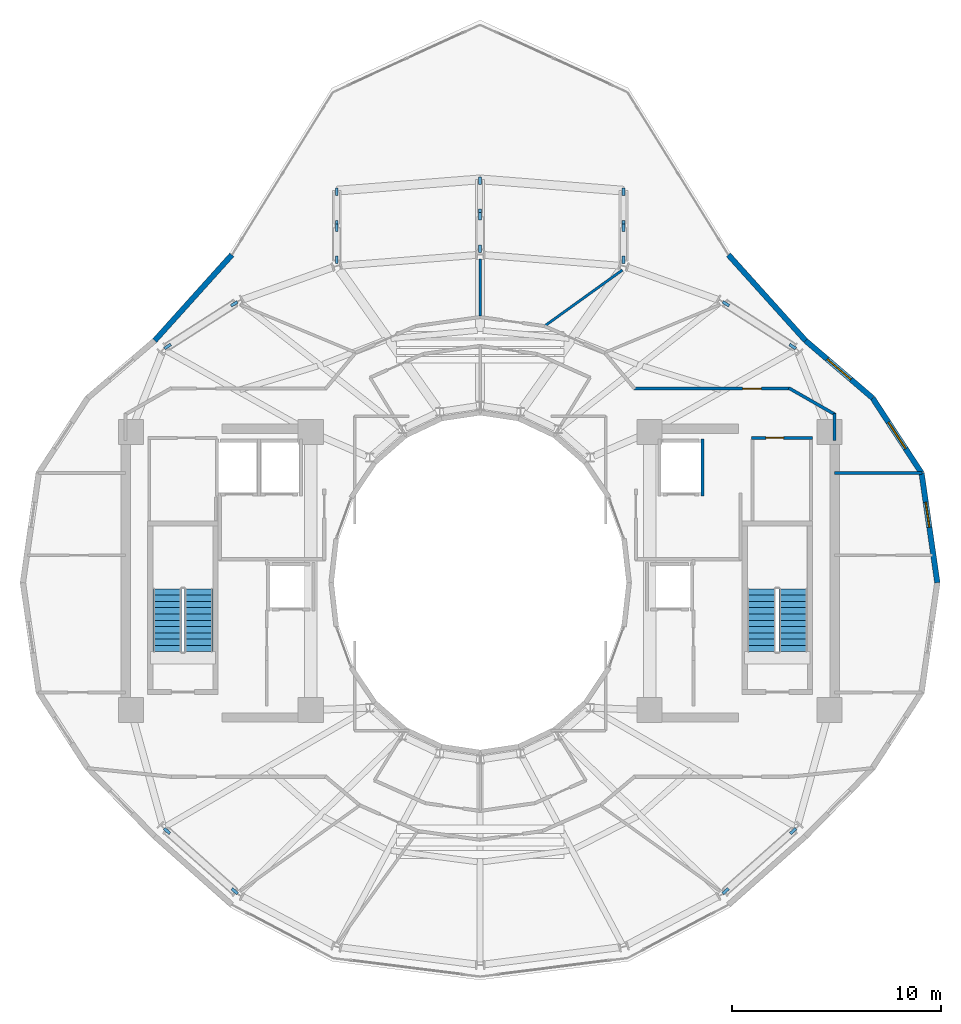
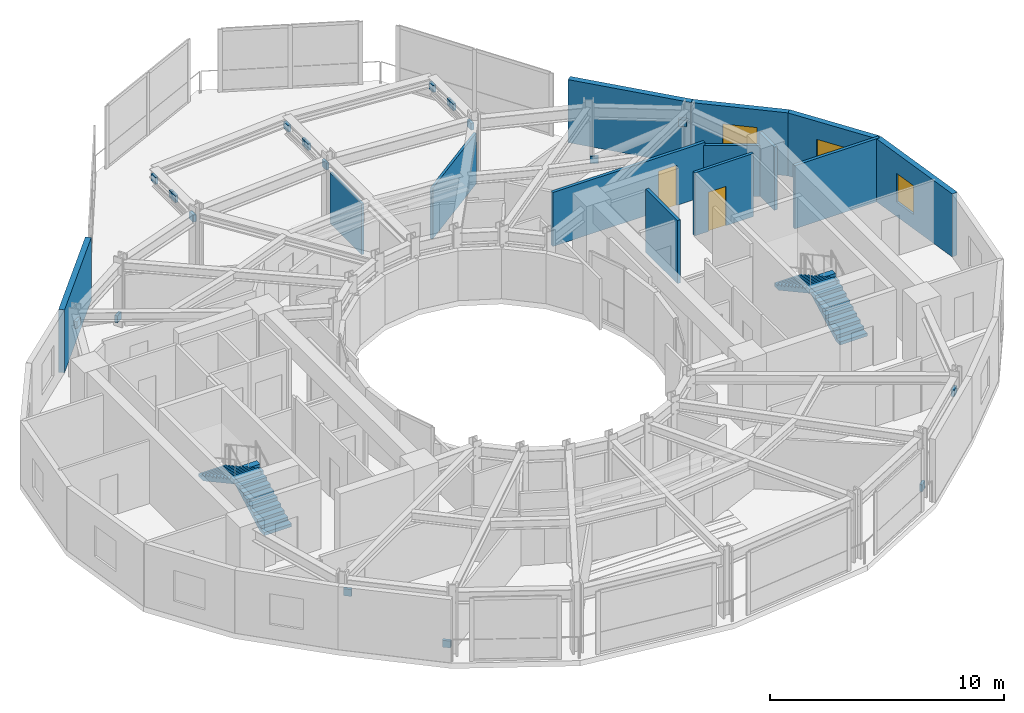
# One storey, part 21 of 24: 20 discrete accessories, 13 walls, 4 stair flights, 3 windows, 2 doors, 5 openings, 2 elements without a shape of their own.
"""IFC4 building model written with IfcOpenShell, lengths in metres."""

from ifc_helpers import new_model, si_unit, direction, frame, frame_2d, origin, origin_2d, place, context, subcontext, project, spatial, polyline, rectangle, outline, extrude, material, layer, layer_set, type_object, element, fill, aggregate, save


model = new_model("IFC4")

# Units and contexts
model_context = context("Model", 3, precision=1e-05, world=origin(), true_north=direction((0.0, 1.0)))
body_context = subcontext(model_context, "Body", "Model", "MODEL_VIEW")
ifc_project = project(units=[si_unit("LENGTHUNIT", "METRE"), si_unit("AREAUNIT", "SQUARE_METRE"), si_unit("VOLUMEUNIT", "CUBIC_METRE"), si_unit("PLANEANGLEUNIT", "RADIAN"), si_unit("MASSUNIT", "GRAM", prefix="KILO")], contexts=[model_context])

# Site, building, storey
site_placement = place(None, origin())
site = spatial("IfcSite", under=ifc_project, at=site_placement, CompositionType="ELEMENT")
building_placement = place(site_placement, origin())
building = spatial("IfcBuilding", under=site, at=building_placement, Name="Solvane Sanctuary Tower", CompositionType="ELEMENT")
storey_placement = place(building_placement, frame((0.0, 0.0, 253.199951171875)))
storey = spatial("IfcBuildingStorey", under=building, at=storey_placement, Name="L77", CompositionType="ELEMENT", Elevation=253.199951171875)

# Walls
ifc_material_1 = material(Name="Acoustic Gypsum Partition Board")
ifc_layer_1 = layer(ifc_material_1, 0.14990234375, Name="Acoustic Gypsum Partition Board")
ifc_layer_set_1 = layer_set([ifc_layer_1], Name="Acoustic Gypsum Partition Board")
wall_type_1 = type_object("IfcWallType", Name="Wall W-CORR-150", PredefinedType="PARTITIONING", material=ifc_layer_set_1)
wall_1_placement = place(storey_placement, frame((48.949951171875, 28.245361328125, 0.0), z_axis=(0.0, 0.0, 1.0), x_axis=(1.0, 0.0, 0.0)))
element("IfcWall", 1, at=wall_1_placement, inside=storey, type_object=wall_type_1, Name="L77 East Shoulder North Wall", PredefinedType="PARTITIONING", context=body_context, shape_type="SweptSolid", body=[
    extrude(rectangle(XDim=4.174560546875, YDim=0.14990234375, at=frame_2d((2.08740234375, 0.0))), origin(), (0.0, 0.0, 1.0), 3.295166015625),
])
wall_2_placement = place(storey_placement, frame((48.949951171875, 29.800048828125, 0.0), z_axis=(0.0, 0.0, 1.0), x_axis=(0.0, 1.0, 0.0)))
element("IfcWall", 2, at=wall_2_placement, inside=storey, type_object=wall_type_1, Name="L77 NE Corner Closer 1", PredefinedType="PARTITIONING", context=body_context, shape_type="SweptSolid", body=[
    extrude(rectangle(XDim=1.2900390625, YDim=0.14990234375, at=frame_2d((0.64501953125, 0.0))), origin(), (0.0, 0.0, 1.0), 3.295166015625),
])

# Wall, opening, door
wall_3_placement = place(storey_placement, frame((39.330078125, 32.280029296875, 0.0), z_axis=(0.0, 0.0, 1.0), x_axis=(1.0, 0.0, 0.0)))
wall_3 = element("IfcWall", 3, at=wall_3_placement, inside=storey, type_object=wall_type_1, Name="L77 NE Corner Corridor Wall", PredefinedType="PARTITIONING", context=body_context, shape_type="SweptSolid", body=[
    extrude(rectangle(XDim=7.52001953125, YDim=0.14990234375, at=frame_2d((3.760009765625, 0.0))), origin(), (0.0, 0.0, 1.0), 2.816162109375),
])
opening_1_placement = place(wall_3_placement, frame((5.219970703125, 0.0, 0.0)))
opening_1 = element("IfcOpeningElement", 4, at=opening_1_placement, cuts=wall_3, Name="Opening D-L77-17", PredefinedType="OPENING", context=body_context, shape_type="SweptSolid", body=[
    extrude(rectangle(XDim=0.89990234375, YDim=2.10009765625, at=frame_2d((0.449951171875, 1.050048828125))), frame((0.0, 0.0849609375, 0.0), z_axis=(0.0, -1.0, 0.0), x_axis=(1.0, 0.0, 0.0)), (0.0, 0.0, 1.0), 0.169921875),
])
ifc_material_2 = material(Name="Engineered Tropical Hardwood", Category="wood")
door_type_1 = type_object("IfcDoorType", Name="Door D-WET-900", OperationType="NOTDEFINED", PredefinedType="DOOR", material=ifc_material_2)
door_1_placement = place(opening_1_placement, origin())
door_1 = element("IfcDoor", 5, at=door_1_placement, inside=storey, type_object=door_type_1, Name="L77 NE Corner Salon Door", OperationType="SINGLE_SWING_LEFT", OverallHeight=2.10009765625, OverallWidth=0.89990234375, PredefinedType="DOOR", context=body_context, shape_type="SweptSolid", body=[
    extrude(rectangle(XDim=0.89990234375, YDim=2.10009765625, at=frame_2d((0.449951171875, 1.050048828125))), frame((0.0, 0.02490234375, 0.0), z_axis=(0.0, -1.0, 0.0), x_axis=(1.0, 0.0, 0.0)), (0.0, 0.0, 1.0), 0.050048828125),
])
fill(opening_1, door_1)

# Wall
wall_4_placement = place(storey_placement, frame((46.756591796875, 32.3046875, 0.0), z_axis=(0.0, 0.0, 1.0), x_axis=(0.867991349648, -0.496579315857, 0.0)))
element("IfcWall", 6, at=wall_4_placement, inside=storey, type_object=wall_type_1, Name="L77 NE Corner Wing Wall", PredefinedType="PARTITIONING", context=body_context, shape_type="SweptSolid", body=[
    extrude(rectangle(XDim=2.56689453125, YDim=0.14990234375, at=frame_2d((1.283447265625, 0.0))), origin(), (0.0, 0.0, 1.0), 2.66015625),
])

# Wall, opening, window
ifc_material_3 = material(Name="Precast concrete C40/50", Category="concrete")
ifc_layer_2 = layer(ifc_material_3, 0.260009765625, Name="Precast concrete C40/50")
ifc_layer_set_2 = layer_set([ifc_layer_2], Name="Precast concrete C40/50")
wall_type_2 = type_object("IfcWallType", Name="Wall W-EXT-250", PredefinedType="STANDARD", material=ifc_layer_set_2)
wall_5_placement = place(storey_placement, frame((53.860107421875, 23.0, 0.0), z_axis=(0.0, 0.0, 1.0), x_axis=(-0.142712754019, 0.989764148593, 0.0)))
wall_5 = element("IfcWall", 7, at=wall_5_placement, inside=storey, type_object=wall_type_2, Name="L77 Ceramic-Printed Facade Wall 00", PredefinedType="STANDARD", context=body_context, shape_type="SweptSolid", body=[
    extrude(rectangle(XDim=5.29296875, YDim=0.260009765625, at=frame_2d((2.646484375, 0.0))), origin(), (0.0, 0.0, 1.0), 3.2900390625),
])
opening_2_placement = place(wall_5_placement, frame((2.67822265625, 0.0, 0.75)))
opening_2 = element("IfcOpeningElement", 8, at=opening_2_placement, cuts=wall_5, Name="Opening WN-OPER-1200", PredefinedType="OPENING", context=body_context, shape_type="SweptSolid", body=[
    extrude(rectangle(XDim=1.199951171875, YDim=1.5, at=frame_2d((0.60009765625, 0.75))), frame((0.0, 0.139892578125, 0.0), z_axis=(0.0, -1.0, 0.0), x_axis=(1.0, 0.0, 0.0)), (0.0, 0.0, 1.0), 0.280029296875),
])
ifc_material_4 = material(Name="Dark Ceramic-Fritted Low-E Glass", Category="glass")
window_type_1 = type_object("IfcWindowType", Name="Window WN-OPER-1200", PartitioningType="SINGLE_PANEL", PredefinedType="WINDOW", material=ifc_material_4)
window_1_placement = place(opening_2_placement, origin())
window_1 = element("IfcWindow", 9, at=window_1_placement, inside=storey, type_object=window_type_1, Name="L77 Operable Facade Window 00", OverallHeight=1.5, OverallWidth=1.199951171875, PartitioningType="SINGLE_PANEL", PredefinedType="WINDOW", context=body_context, shape_type="SweptSolid", body=[
    extrude(rectangle(XDim=1.199951171875, YDim=1.5, at=frame_2d((0.60009765625, 0.75))), frame((0.0, 0.030029296875, 0.0), z_axis=(0.0, -1.0, 0.0), x_axis=(1.0, 0.0, 0.0)), (0.0, 0.0, 1.0), 0.06005859375),
])
fill(opening_2, window_1)

wall_6_placement = place(storey_placement, frame((53.104736328125, 28.23876953125, 0.0), z_axis=(0.0, 0.0, 1.0), x_axis=(-0.546606419826, 0.837389647539, 0.0)))
wall_6 = element("IfcWall", 10, at=wall_6_placement, inside=storey, type_object=wall_type_2, Name="L77 Ceramic-Printed Facade Wall 01", PredefinedType="STANDARD", context=body_context, shape_type="SweptSolid", body=[
    extrude(rectangle(XDim=4.287841796875, YDim=0.260009765625, at=frame_2d((2.14404296875, 0.0))), origin(), (0.0, 0.0, 1.0), 3.2900390625),
])
opening_3_placement = place(wall_6_placement, frame((1.393798828125, 0.0, 0.75)))
opening_3 = element("IfcOpeningElement", 11, at=opening_3_placement, cuts=wall_6, Name="Opening WN-OPER-1500", PredefinedType="OPENING", context=body_context, shape_type="SweptSolid", body=[
    extrude(rectangle(XDim=1.5, YDim=1.60009765625, at=frame_2d((0.75, 0.800048828125))), frame((0.0, 0.139892578125, 0.0), z_axis=(0.0, -1.0, 0.0), x_axis=(1.0, 0.0, 0.0)), (0.0, 0.0, 1.0), 0.280029296875),
])
window_type_2 = type_object("IfcWindowType", Name="Window WN-OPER-1500", PartitioningType="SINGLE_PANEL", PredefinedType="WINDOW", material=ifc_material_4)
window_2_placement = place(opening_3_placement, origin())
window_2 = element("IfcWindow", 12, at=window_2_placement, inside=storey, type_object=window_type_2, Name="L77 Operable Facade Window 01", OverallHeight=1.60009765625, OverallWidth=1.5, PartitioningType="SINGLE_PANEL", PredefinedType="WINDOW", context=body_context, shape_type="SweptSolid", body=[
    extrude(rectangle(XDim=1.5, YDim=1.60009765625, at=frame_2d((0.75, 0.800048828125))), frame((0.0, 0.030029296875, 0.0), z_axis=(0.0, -1.0, 0.0), x_axis=(1.0, 0.0, 0.0)), (0.0, 0.0, 1.0), 0.06005859375),
])
fill(opening_3, window_2)

wall_7_placement = place(storey_placement, frame((50.760986328125, 31.829345703125, 0.0), z_axis=(0.0, 0.0, 1.0), x_axis=(-0.759587504333, 0.650405122413, 0.0)))
wall_7 = element("IfcWall", 13, at=wall_7_placement, inside=storey, type_object=wall_type_2, Name="L77 Ceramic-Printed Facade Wall 02", PredefinedType="STANDARD", context=body_context, shape_type="SweptSolid", body=[
    extrude(rectangle(XDim=4.21728515625, YDim=0.260009765625, at=frame_2d((2.108642578125, 0.0))), origin(), (0.0, 0.0, 1.0), 3.2900390625),
])
opening_4_placement = place(wall_7_placement, frame((1.358642578125, 0.0, 0.75)))
opening_4 = element("IfcOpeningElement", 14, at=opening_4_placement, cuts=wall_7, Name="Opening WN-OPER-1500", PredefinedType="OPENING", context=body_context, shape_type="SweptSolid", body=[
    extrude(rectangle(XDim=1.5, YDim=1.60009765625, at=frame_2d((0.75, 0.800048828125))), frame((0.0, 0.139892578125, 0.0), z_axis=(0.0, -1.0, 0.0), x_axis=(1.0, 0.0, 0.0)), (0.0, 0.0, 1.0), 0.280029296875),
])
window_3_placement = place(opening_4_placement, origin())
window_3 = element("IfcWindow", 15, at=window_3_placement, inside=storey, type_object=window_type_2, Name="L77 Operable Facade Window 02", OverallHeight=1.60009765625, OverallWidth=1.5, PartitioningType="SINGLE_PANEL", PredefinedType="WINDOW", context=body_context, shape_type="SweptSolid", body=[
    extrude(rectangle(XDim=1.5, YDim=1.60009765625, at=frame_2d((0.75, 0.800048828125))), frame((0.0, 0.030029296875, 0.0), z_axis=(0.0, -1.0, 0.0), x_axis=(1.0, 0.0, 0.0)), (0.0, 0.0, 1.0), 0.06005859375),
])
fill(opening_4, window_3)

# Walls
for number, where, z_axis, x_axis, name in (
    (16, (47.5576171875, 34.572265625, 0.0), (0.0, 0.0, 1.0), (-0.668903560134, 0.743349196031, 0.0), "L77 Ceramic-Printed Facade Wall 03"),
    (17, (20.1298828125, 38.670166015625, 0.0), (0.0, 0.0, 1.0), (-0.668903560134, -0.743349196031, 0.0), "L77 Ceramic-Printed Facade Wall 08"),
):
    element("IfcWall", number, at=place(storey_placement, frame(where, z_axis=z_axis, x_axis=x_axis)), inside=storey, type_object=wall_type_2, Name=name, PredefinedType="STANDARD", context=body_context, shape_type="SweptSolid", body=[
        extrude(rectangle(XDim=5.5126953125, YDim=0.260009765625, at=frame_2d((2.75634765625, 0.0))), origin(), (0.0, 0.0, 1.0), 3.2900390625),
    ])
ifc_layer_3 = layer(ifc_material_1, 0.1201171875, Name="Acoustic Gypsum Partition Board")
ifc_layer_set_3 = layer_set([ifc_layer_3], Name="Acoustic Gypsum Partition Board")
wall_type_3 = type_object("IfcWallType", Name="Wall W-MOV-100", PredefinedType="MOVABLE", material=ifc_layer_set_3)
wall_8_placement = place(storey_placement, frame((35.1240234375, 35.29736328125, 0.0), z_axis=(0.0, 0.0, 1.0), x_axis=(0.811745719064, 0.584011033783, 0.0)))
element("IfcWall", 18, at=wall_8_placement, inside=storey, type_object=wall_type_3, Name="L77 Sky Hall Radial Partition 075", PredefinedType="MOVABLE", context=body_context, shape_type="SweptSolid", body=[
    extrude(rectangle(XDim=4.53369140625, YDim=0.1201171875, at=frame_2d((2.266845703125, 0.0))), origin(), (0.0, 0.0, 1.0), 2.66015625),
])
wall_9_placement = place(storey_placement, frame((32.0, 35.7529296875, 0.0), z_axis=(0.0, 0.0, 1.0), x_axis=(0.0, 1.0, 0.0)))
element("IfcWall", 19, at=wall_9_placement, inside=storey, type_object=wall_type_3, Name="L77 Sky Hall Radial Partition 090", PredefinedType="MOVABLE", context=body_context, shape_type="SweptSolid", body=[
    extrude(rectangle(XDim=2.72705078125, YDim=0.1201171875, at=frame_2d((1.363525390625, 0.0))), origin(), (0.0, 0.0, 1.0), 2.66015625),
])
ifc_material_5 = material(Name="Concrete C50/60", Category="concrete")
ifc_layer_4 = layer(ifc_material_5, 0.14990234375, Name="Concrete C50/60")
ifc_layer_set_4 = layer_set([ifc_layer_4], Name="Concrete C50/60")
wall_type_4 = type_object("IfcWallType", Name="Wall W-SHAFT-150", PredefinedType="SOLIDWALL", material=ifc_layer_set_4)
wall_10_placement = place(storey_placement, frame((42.6298828125, 27.139892578125, 0.0), z_axis=(0.0, 0.0, 1.0), x_axis=(0.0, 1.0, 0.0)))
element("IfcWall", 20, at=wall_10_placement, inside=storey, type_object=wall_type_4, Name="L77 FFL-2 Lift Shaft Wall S2", PredefinedType="SOLIDWALL", context=body_context, shape_type="SweptSolid", body=[
    extrude(rectangle(XDim=2.72021484375, YDim=0.14990234375, at=frame_2d((1.360107421875, 0.0))), origin(), (0.0, 0.0, 1.0), 3.295166015625),
])

# Wall, opening, door
ifc_layer_5 = layer(ifc_material_1, 0.139892578125, Name="Acoustic Gypsum Partition Board")
ifc_layer_set_5 = layer_set([ifc_layer_5], Name="Acoustic Gypsum Partition Board")
wall_type_5 = type_object("IfcWallType", Name="Wall W-WET-140", PredefinedType="PLUMBINGWALL", material=ifc_layer_set_5)
wall_11_placement = place(storey_placement, frame((44.97998046875, 29.919921875, 0.0), z_axis=(0.0, 0.0, 1.0), x_axis=(1.0, 0.0, 0.0)))
wall_11 = element("IfcWall", 21, at=wall_11_placement, inside=storey, type_object=wall_type_5, Name="L77 Core Service Front Wall KE0", PredefinedType="PLUMBINGWALL", context=body_context, shape_type="SweptSolid", body=[
    extrude(rectangle(XDim=2.89990234375, YDim=0.139892578125, at=frame_2d((1.449951171875, 0.0))), origin(), (0.0, 0.0, 1.0), 3.295166015625),
])
opening_5_placement = place(wall_11_placement, frame((0.685546875, 0.0, 0.0)))
opening_5 = element("IfcOpeningElement", 22, at=opening_5_placement, cuts=wall_11, Name="Opening D-L77-08", PredefinedType="OPENING", context=body_context, shape_type="SweptSolid", body=[
    extrude(rectangle(XDim=0.85009765625, YDim=2.050048828125, at=frame_2d((0.425048828125, 1.02490234375))), frame((0.0, 0.079833984375, 0.0), z_axis=(0.0, -1.0, 0.0), x_axis=(1.0, 0.0, 0.0)), (0.0, 0.0, 1.0), 0.159912109375),
])
ifc_material_6 = material(Name="Architectural Stainless Steel 316", Category="steel")
door_type_2 = type_object("IfcDoorType", Name="Door D-RISER", OperationType="NOTDEFINED", PredefinedType="DOOR", material=ifc_material_6)
door_2_placement = place(opening_5_placement, origin())
door_2 = element("IfcDoor", 23, at=door_2_placement, inside=storey, type_object=door_type_2, Name="L77 Core Service Room Door KE0-1", OperationType="SINGLE_SWING_RIGHT", OverallHeight=2.050048828125, OverallWidth=0.85009765625, PredefinedType="DOOR", context=body_context, shape_type="SweptSolid", body=[
    extrude(rectangle(XDim=0.85009765625, YDim=2.050048828125, at=frame_2d((0.425048828125, 1.02490234375))), frame((0.0, 0.02490234375, 0.0), z_axis=(0.0, -1.0, 0.0), x_axis=(1.0, 0.0, 0.0)), (0.0, 0.0, 1.0), 0.050048828125),
])
fill(opening_5, door_2)

# Stair, stair flights
ifc_material_7 = material(Name="Concrete C45/55", Category="concrete")
stair_type = type_object("IfcStairType", Name="Stair ST-TOW", PredefinedType="HALF_TURN_STAIR", material=ifc_material_7)
stair_1_placement = place(storey_placement, origin())
stair_1 = element("IfcStair", 24, at=stair_1_placement, inside=storey, type_object=stair_type, Name="L77 Exit Stair ST-1 West Core", PredefinedType="HALF_TURN_STAIR")
stair_flight_type = type_object("IfcStairFlightType", Name="StairFlight SF-TOW", PredefinedType="STRAIGHT", material=ifc_material_7)
stair_flight_1_placement = place(storey_placement, frame((18.544921875, 19.699951171875, 0.0), z_axis=(0.0, 0.0, 1.0), x_axis=(0.0, 1.0, 0.0)))
stair_flight_1 = element("IfcStairFlight", 25, at=stair_flight_1_placement, type_object=stair_flight_type, Name="ST-1 flight 1", NumberOfRisers=11, NumberOfTreads=10, PredefinedType="STRAIGHT", RiserHeight=0.163636364, TreadLength=0.3, context=body_context, shape_type="SweptSolid", body=[
    extrude(outline(polyline([(0.0, 0.0), (0.0, 0.16357421875), (0.300048828125, 0.16357421875), (0.300048828125, 0.327392578125), (0.60009765625, 0.327392578125), (0.60009765625, 0.490966796875), (0.89990234375, 0.490966796875), (0.89990234375, 0.654541015625), (1.199951171875, 0.654541015625), (1.199951171875, 0.818115234375), (1.5, 0.818115234375), (1.5, 0.98193359375), (1.800048828125, 0.98193359375), (1.800048828125, 1.1455078125), (2.10009765625, 1.1455078125), (2.10009765625, 1.30908203125), (2.39990234375, 1.30908203125), (2.39990234375, 1.47265625), (2.699951171875, 1.47265625), (2.699951171875, 1.636474609375), (3.0, 1.636474609375), (3.0, 1.800048828125), (3.0, 1.431396484375), (0.375732421875, 0.0), (0.0, 0.0)])), frame((0.0, 0.675048828125, 0.0), z_axis=(0.0, -1.0, 0.0), x_axis=(1.0, 0.0, 0.0)), (0.0, 0.0, 1.0), 1.35009765625),
])
stair_flight_2_placement = place(storey_placement, frame((17.034912109375, 22.699951171875, 1.800048828125), z_axis=(0.0, 0.0, 1.0), x_axis=(0.0, -1.0, 0.0)))
stair_flight_2 = element("IfcStairFlight", 26, at=stair_flight_2_placement, type_object=stair_flight_type, Name="ST-1 flight 2", NumberOfRisers=11, NumberOfTreads=10, PredefinedType="STRAIGHT", RiserHeight=0.163636364, TreadLength=0.3, context=body_context, shape_type="SweptSolid", body=[
    extrude(outline(polyline([(0.0, 0.0), (0.0, 0.16357421875), (0.300048828125, 0.16357421875), (0.300048828125, 0.327392578125), (0.60009765625, 0.327392578125), (0.60009765625, 0.490966796875), (0.89990234375, 0.490966796875), (0.89990234375, 0.654541015625), (1.199951171875, 0.654541015625), (1.199951171875, 0.818115234375), (1.5, 0.818115234375), (1.5, 0.98193359375), (1.800048828125, 0.98193359375), (1.800048828125, 1.1455078125), (2.10009765625, 1.1455078125), (2.10009765625, 1.30908203125), (2.39990234375, 1.30908203125), (2.39990234375, 1.47265625), (2.699951171875, 1.47265625), (2.699951171875, 1.636474609375), (3.0, 1.636474609375), (3.0, 1.800048828125), (3.0, 1.431396484375), (0.375732421875, 0.0), (0.0, 0.0)])), frame((0.0, 0.675048828125, 0.0), z_axis=(0.0, -1.0, 0.0), x_axis=(1.0, 0.0, 0.0)), (0.0, 0.0, 1.0), 1.35009765625),
])
aggregate(stair_1, [stair_flight_1, stair_flight_2])

stair_2_placement = place(storey_placement, origin())
stair_2 = element("IfcStair", 27, at=stair_2_placement, inside=storey, type_object=stair_type, Name="L77 Exit Stair ST-2 East Core", PredefinedType="HALF_TURN_STAIR")
stair_flight_3_placement = place(storey_placement, frame((46.965087890625, 19.699951171875, 0.0), z_axis=(0.0, 0.0, 1.0), x_axis=(0.0, 1.0, 0.0)))
stair_flight_3 = element("IfcStairFlight", 28, at=stair_flight_3_placement, type_object=stair_flight_type, Name="ST-2 flight 1", NumberOfRisers=11, NumberOfTreads=10, PredefinedType="STRAIGHT", RiserHeight=0.163636364, TreadLength=0.3, context=body_context, shape_type="SweptSolid", body=[
    extrude(outline(polyline([(0.0, 0.0), (0.0, 0.16357421875), (0.300048828125, 0.16357421875), (0.300048828125, 0.327392578125), (0.60009765625, 0.327392578125), (0.60009765625, 0.490966796875), (0.89990234375, 0.490966796875), (0.89990234375, 0.654541015625), (1.199951171875, 0.654541015625), (1.199951171875, 0.818115234375), (1.5, 0.818115234375), (1.5, 0.98193359375), (1.800048828125, 0.98193359375), (1.800048828125, 1.1455078125), (2.10009765625, 1.1455078125), (2.10009765625, 1.30908203125), (2.39990234375, 1.30908203125), (2.39990234375, 1.47265625), (2.699951171875, 1.47265625), (2.699951171875, 1.636474609375), (3.0, 1.636474609375), (3.0, 1.800048828125), (3.0, 1.431396484375), (0.375732421875, 0.0), (0.0, 0.0)])), frame((0.0, 0.675048828125, 0.0), z_axis=(0.0, -1.0, 0.0), x_axis=(1.0, 0.0, 0.0)), (0.0, 0.0, 1.0), 1.35009765625),
])
stair_flight_4_placement = place(storey_placement, frame((45.455078125, 22.699951171875, 1.800048828125), z_axis=(0.0, 0.0, 1.0), x_axis=(0.0, -1.0, 0.0)))
stair_flight_4 = element("IfcStairFlight", 29, at=stair_flight_4_placement, type_object=stair_flight_type, Name="ST-2 flight 2", NumberOfRisers=11, NumberOfTreads=10, PredefinedType="STRAIGHT", RiserHeight=0.163636364, TreadLength=0.3, context=body_context, shape_type="SweptSolid", body=[
    extrude(outline(polyline([(0.0, 0.0), (0.0, 0.16357421875), (0.300048828125, 0.16357421875), (0.300048828125, 0.327392578125), (0.60009765625, 0.327392578125), (0.60009765625, 0.490966796875), (0.89990234375, 0.490966796875), (0.89990234375, 0.654541015625), (1.199951171875, 0.654541015625), (1.199951171875, 0.818115234375), (1.5, 0.818115234375), (1.5, 0.98193359375), (1.800048828125, 0.98193359375), (1.800048828125, 1.1455078125), (2.10009765625, 1.1455078125), (2.10009765625, 1.30908203125), (2.39990234375, 1.30908203125), (2.39990234375, 1.47265625), (2.699951171875, 1.47265625), (2.699951171875, 1.636474609375), (3.0, 1.636474609375), (3.0, 1.800048828125), (3.0, 1.431396484375), (0.375732421875, 0.0), (0.0, 0.0)])), frame((0.0, 0.675048828125, 0.0), z_axis=(0.0, -1.0, 0.0), x_axis=(1.0, 0.0, 0.0)), (0.0, 0.0, 1.0), 1.35009765625),
])
aggregate(stair_2, [stair_flight_3, stair_flight_4])

# Discrete accessories
ifc_material_8 = material(Name="Steel ASTM A572 Grade 50", Category="steel")
ifc_layer_6 = layer(ifc_material_8, 0.360107421875, Name="Steel ASTM A572 Grade 50")
ifc_layer_set_6 = layer_set([ifc_layer_6], Name="Steel ASTM A572 Grade 50")
discrete_accessory_type = type_object("IfcDiscreteAccessoryType", Name="Accessory ACC-GUSSET-BRK", PredefinedType="BRACKET", material=ifc_layer_set_6)
for number, where, z_axis, x_axis, name in (
    (30, (43.7548828125, 36.329345703125, 0.32861328125), (0.0, 0.0, 1.0), (0.842264279204, -0.539064823539, 0.0), "L77 Perimeter Braced-Tube Diagonal NE End Gusset Bracket A"),
    (31, (46.940673828125, 34.2900390625, 2.37841796875), (0.0, 0.0, 1.0), (0.842264279204, -0.539064823539, 0.0), "L77 Perimeter Braced-Tube Diagonal NE End Gusset Bracket B"),
    (32, (20.2451171875, 36.329345703125, 0.32861328125), (0.0, 0.0, 1.0), (-0.842264279204, -0.539064823539, 0.0), "L77 Perimeter Braced-Tube Diagonal NW End Gusset Bracket A"),
    (33, (17.059326171875, 34.2900390625, 2.37841796875), (0.0, 0.0, 1.0), (-0.842264279204, -0.539064823539, 0.0), "L77 Perimeter Braced-Tube Diagonal NW End Gusset Bracket B"),
    (34, (20.26416015625, 8.2470703125, 0.31640625), (0.0, 0.0, 1.0), (-0.747218420912, 0.664578536706, 0.0), "L77 Perimeter Braced-Tube Diagonal SW End Gusset Bracket A"),
    (35, (17.032470703125, 11.121337890625, 2.39599609375), (0.0, 0.0, 1.0), (-0.747218420912, 0.664578536706, 0.0), "L77 Perimeter Braced-Tube Diagonal SW End Gusset Bracket B"),
    (36, (43.73583984375, 8.2470703125, 0.31640625), (0.0, 0.0, 1.0), (0.747218420912, 0.664578536706, 0.0), "L77 Perimeter Braced-Tube Diagonal SE End Gusset Bracket A"),
    (37, (46.967529296875, 11.121337890625, 2.39599609375), (0.0, 0.0, 1.0), (0.747218420912, 0.664578536706, 0.0), "L77 Perimeter Braced-Tube Diagonal SE End Gusset Bracket B"),
    (38, (25.143798828125, 38.4267578125, 2.58837890625), (0.0, 0.0, 1.0), (0.0, 1.0, 0.0), "L77 Sky-Dining Truss Diagonal C05-P1 End Gusset Bracket A"),
    (39, (25.143798828125, 39.967529296875, 2.6689453125), (0.0, 0.0, 1.0), (0.0, 1.0, 0.0), "L77 Sky-Dining Truss Diagonal C05-P1 End Gusset Bracket B"),
    (40, (25.143798828125, 40.137451171875, 2.6689453125), (0.0, 0.0, 1.0), (0.0, 1.0, 0.0), "L77 Sky-Dining Truss Web Post C05-P1 End Gusset Bracket A"),
    (41, (25.143798828125, 41.67822265625, 2.58837890625), (0.0, 0.0, 1.0), (0.0, 1.0, 0.0), "L77 Sky-Dining Truss Web Post C05-P1 End Gusset Bracket B"),
    (42, (32.0, 38.9609375, 2.58837890625), (0.0, 0.0, 1.0), (0.0, 1.0, 0.0), "L77 Sky-Dining Truss Diagonal C04-P1 End Gusset Bracket A"),
    (43, (32.0, 40.505615234375, 2.6689453125), (0.0, 0.0, 1.0), (0.0, 1.0, 0.0), "L77 Sky-Dining Truss Diagonal C04-P1 End Gusset Bracket B"),
    (44, (32.0, 40.67529296875, 2.6689453125), (0.0, 0.0, 1.0), (0.0, 1.0, 0.0), "L77 Sky-Dining Truss Web Post C04-P1 End Gusset Bracket A"),
    (45, (32.0, 42.219970703125, 2.58837890625), (0.0, 0.0, 1.0), (0.0, 1.0, 0.0), "L77 Sky-Dining Truss Web Post C04-P1 End Gusset Bracket B"),
    (46, (38.856201171875, 38.4267578125, 2.58837890625), (0.0, 0.0, 1.0), (0.0, 1.0, 0.0), "L77 Sky-Dining Truss Diagonal C03-P1 End Gusset Bracket A"),
    (47, (38.856201171875, 39.967529296875, 2.6689453125), (0.0, 0.0, 1.0), (0.0, 1.0, 0.0), "L77 Sky-Dining Truss Diagonal C03-P1 End Gusset Bracket B"),
    (48, (38.856201171875, 40.137451171875, 2.6689453125), (0.0, 0.0, 1.0), (0.0, 1.0, 0.0), "L77 Sky-Dining Truss Web Post C03-P1 End Gusset Bracket A"),
    (49, (38.856201171875, 41.67822265625, 2.58837890625), (0.0, 0.0, 1.0), (0.0, 1.0, 0.0), "L77 Sky-Dining Truss Web Post C03-P1 End Gusset Bracket B"),
):
    element("IfcDiscreteAccessory", number, at=place(storey_placement, frame(where, z_axis=z_axis, x_axis=x_axis)), inside=storey, type_object=discrete_accessory_type, Name=name, PredefinedType="BRACKET", context=body_context, shape_type="SweptSolid", body=[
        extrude(rectangle(XDim=0.360107421875, YDim=0.139892578125, at=origin_2d()), origin(), (0.0, 0.0, 1.0), 0.360107421875),
    ])

save(model, "model.ifc")
